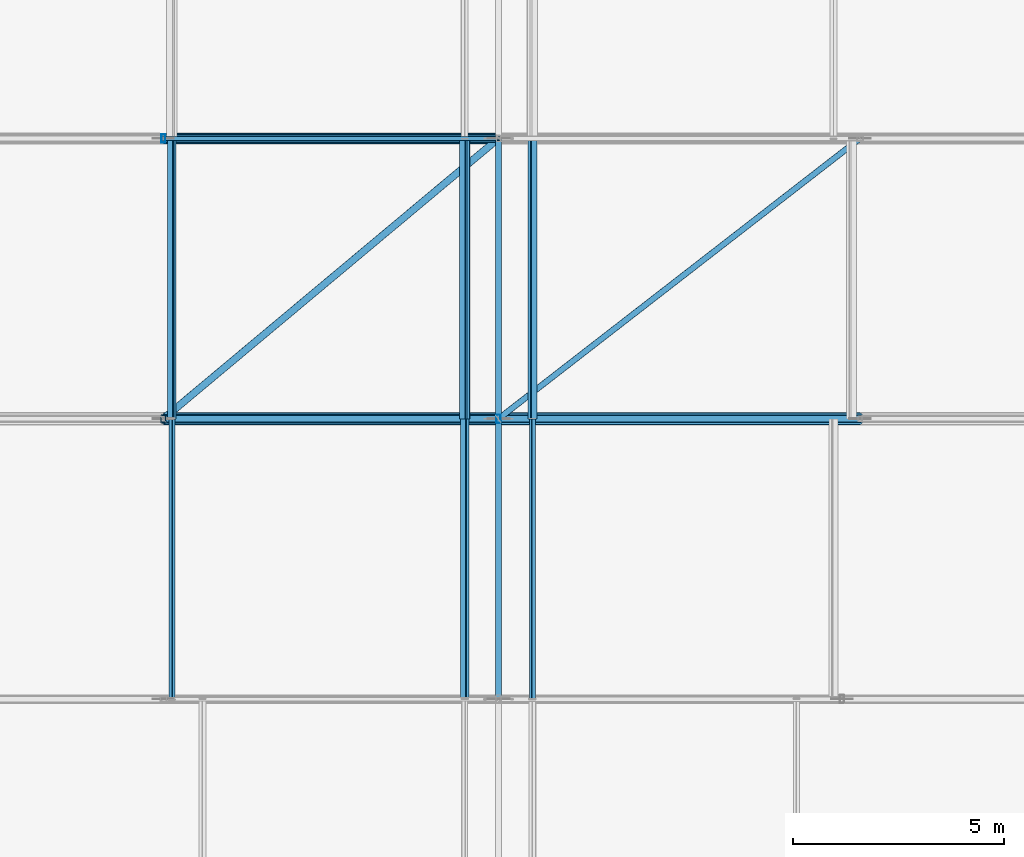
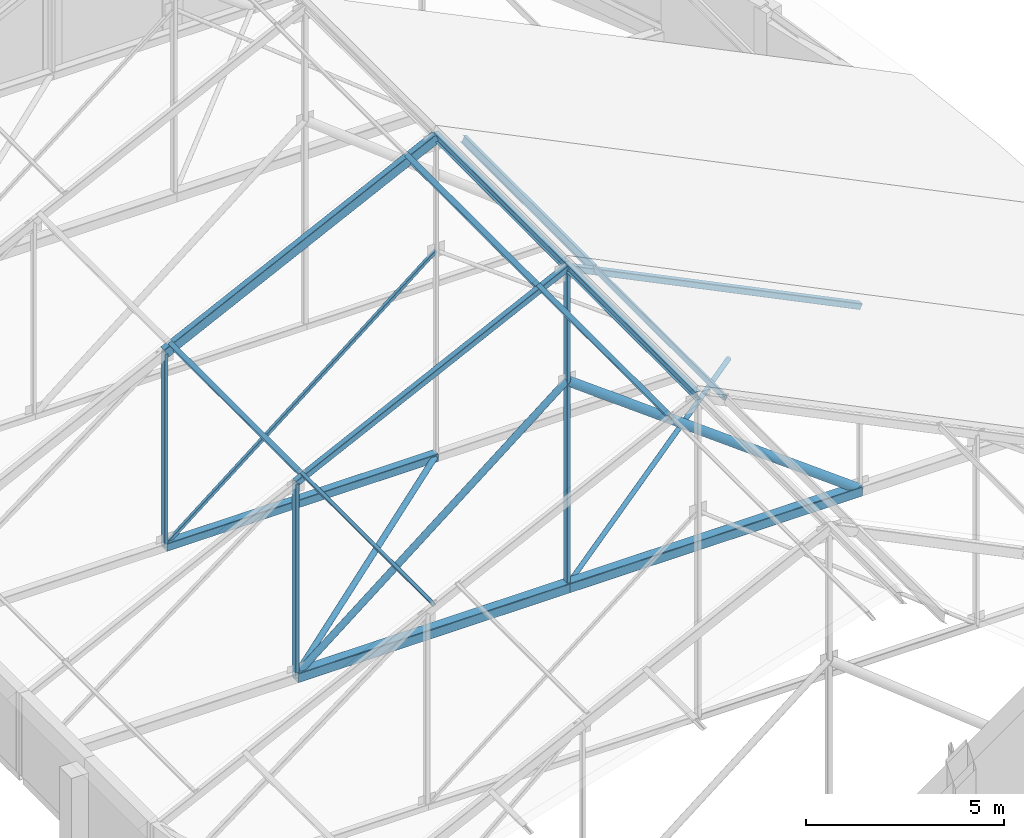
# One storey, part 30 of 78: 22 members.
"""IFC4 building model written with IfcOpenShell, lengths in metres."""

import ifcopenshell
import ifcopenshell.guid

model = None  # the IFC model being written
_history = None  # IfcOwnerHistory: only IFC2X3 demands one
_inside = {}  # id of a spatial element -> (the spatial element, [elements in it])
_under = {}  # id of a project, library or spatial element -> (it, [spatial elements below it])
_declared = {}  # id of a project -> (the project, [libraries it declares])
_typed = {}  # id of a type object -> (the type object, [elements of that type])
_made_of = {}  # id of a material, layer set ... -> (it, [elements and type objects made of it])


def new_model(schema):
    """Start an empty IFC model of exactly this schema.

    Asked for "IFC4X3", IfcOpenShell would pick the latest addendum, in which some entities
    have other attributes; the version numbers below select the first issue.
    IFC2X3 requires an IfcOwnerHistory on every rooted entity: one is made here for all.
    """
    global model, _history
    if schema == "IFC4X3":
        model = ifcopenshell.file(schema_version=(4, 3, 0, 0))
    else:
        model = ifcopenshell.file(schema=schema)
    _inside.clear()
    _under.clear()
    _declared.clear()
    _typed.clear()
    _made_of.clear()
    _history = None
    if model.schema == "IFC2X3":
        org = make("IfcOrganization", Name="unknown")
        user = make(
            "IfcPersonAndOrganization",
            ThePerson=make("IfcPerson", FamilyName="unknown"),
            TheOrganization=org,
        )
        app = make(
            "IfcApplication",
            ApplicationDeveloper=org,
            Version="unknown",
            ApplicationFullName="unknown",
            ApplicationIdentifier="unknown",
        )
        _history = make(
            "IfcOwnerHistory",
            OwningUser=user,
            OwningApplication=app,
            ChangeAction="ADDED",
            CreationDate=0,
        )
    return model


def make(cls, **values):
    """One entity of the class cls with the attributes given. An attribute that is None is left unset."""
    return model.create_entity(
        cls, **{name: value for name, value in values.items() if value is not None}
    )


def rooted(cls, **values):
    """An entity with a GlobalId (a new one), such as an element, a storey or a relation."""
    return make(cls, GlobalId=ifcopenshell.guid.new(), OwnerHistory=_history, **values)


def si_unit(unit_type, name, prefix=None):
    """IfcSIUnit, for example si_unit("LENGTHUNIT", "METRE", prefix="MILLI")."""
    return make("IfcSIUnit", UnitType=unit_type, Prefix=prefix, Name=name)


def assignment(units):
    """IfcUnitAssignment: the units of a project."""
    return None if units is None else make("IfcUnitAssignment", Units=units)


def point(xyz):
    """IfcCartesianPoint."""
    return None if xyz is None else make("IfcCartesianPoint", Coordinates=xyz)


def direction(xyz):
    """IfcDirection."""
    return None if xyz is None else make("IfcDirection", DirectionRatios=xyz)


def frame(location, z_axis=None, x_axis=None):
    """IfcAxis2Placement3D, a coordinate frame: its origin and axes. An axis left out is left unset."""
    return make(
        "IfcAxis2Placement3D",
        Location=point(location),
        Axis=direction(z_axis),
        RefDirection=direction(x_axis),
    )


def frame_2d(location, x_axis=None):
    """IfcAxis2Placement2D, a coordinate frame in the plane: its origin and x axis."""
    return make(
        "IfcAxis2Placement2D", Location=point(location), RefDirection=direction(x_axis)
    )


def origin():
    """The frame at (0, 0, 0) with its axes left unset."""
    return frame((0.0, 0.0, 0.0))


def origin_2d():
    """The frame at (0, 0) in the plane with its x axis left unset."""
    return frame_2d((0.0, 0.0))


def place(relative_to, where):
    """IfcLocalPlacement: puts the frame where relative to a parent placement (None: the world)."""
    return make(
        "IfcLocalPlacement", PlacementRelTo=relative_to, RelativePlacement=where
    )


def context(
    kind, dimensions, precision=None, world=None, true_north=None, identifier=None
):
    """IfcGeometricRepresentationContext, for example the 3D "Model" context."""
    return make(
        "IfcGeometricRepresentationContext",
        ContextIdentifier=identifier,
        ContextType=kind,
        CoordinateSpaceDimension=dimensions,
        Precision=precision,
        WorldCoordinateSystem=world,
        TrueNorth=true_north,
    )


def subcontext(parent, identifier, kind, view, scale=None):
    """IfcGeometricRepresentationSubContext, for example "Body" below "Model"."""
    return make(
        "IfcGeometricRepresentationSubContext",
        ContextIdentifier=identifier,
        ContextType=kind,
        ParentContext=parent,
        TargetScale=scale,
        TargetView=view,
    )


def project(units=None, contexts=None):
    """IfcProject with its units and contexts."""
    return rooted(
        "IfcProject",
        Name="project",
        RepresentationContexts=contexts,
        UnitsInContext=assignment(units),
    )


def spatial(cls, under=None, at=None, **own):
    """A site, building, storey or space (cls), placed at a placement, below another one or the project."""
    s = rooted(cls, ObjectPlacement=at, **own)
    if under is not None:
        _under.setdefault(under.id(), (under, []))[1].append(s)
    return s


def profile(cls, at=None, kind="AREA", **sizes):
    """A parametric profile (cls). Its sizes go by their IFC names, for example OverallWidth=200.0."""
    return make(cls, ProfileType=kind, Position=at, **sizes)


def hollow_rectangle(**sizes):
    """IfcRectangleHollowProfileDef."""
    return profile("IfcRectangleHollowProfileDef", **sizes)


def hollow_circle(**sizes):
    """IfcCircleHollowProfileDef."""
    return profile("IfcCircleHollowProfileDef", **sizes)


def i_section(**sizes):
    """IfcIShapeProfileDef."""
    return profile("IfcIShapeProfileDef", **sizes)


def extrude(swept, where, along, depth):
    """IfcExtrudedAreaSolid: the profile swept, set in the frame where, extruded along a direction by depth."""
    return make(
        "IfcExtrudedAreaSolid",
        SweptArea=swept,
        Position=where,
        ExtrudedDirection=direction(along),
        Depth=depth,
    )


def shape(context_of_items, identifier, shape_type, items):
    """IfcShapeRepresentation: the items that make up one representation, for example the "Body"."""
    return make(
        "IfcShapeRepresentation",
        ContextOfItems=context_of_items,
        RepresentationIdentifier=identifier,
        RepresentationType=shape_type,
        Items=items,
    )


def material(Name=None, Category=None):
    """IfcMaterial."""
    return make("IfcMaterial", Name=Name, Category=Category)


def material_profile(
    of_material, cross_section, Name=None, Category=None, Priority=None
):
    """IfcMaterialProfile: a cross section and its material."""
    return make(
        "IfcMaterialProfile",
        Name=Name,
        Material=of_material,
        Profile=cross_section,
        Priority=Priority,
        Category=Category,
    )


def profile_set(profiles, Name=None, composite=None):
    """IfcMaterialProfileSet."""
    return make(
        "IfcMaterialProfileSet",
        Name=Name,
        MaterialProfiles=profiles,
        CompositeProfile=composite,
    )


def made_of(thing, what):
    """Note that an element or type object is made of a material, layer set ...; save() writes the relation."""
    if what is not None:
        _made_of.setdefault(what.id(), (what, []))[1].append(thing)
    return thing


def type_object(cls, material=None, **own):
    """A type object (cls), such as IfcWallType, which elements share."""
    return made_of(rooted(cls, **own), material)


def element(
    cls,
    number,
    at=None,
    inside=None,
    cuts=None,
    type_object=None,
    material=None,
    context=None,
    identifier="Body",
    shape_type=None,
    held_by="IfcProductDefinitionShape",
    body=None,
    shapes=None,
    **own,
):
    """One element of the class cls, such as IfcWall. Its Tag is "e" and its number.

    at: its placement. inside: the storey or other place that contains it. cuts: it is an
    opening in that element (IfcRelVoidsElement). A single representation is given by context,
    identifier, shape_type and body (its items); several are given by shapes. held_by: the class
    of the entity that holds the representations. save() writes the other relations.
    """
    e = rooted(cls, Tag="e%d" % number, ObjectPlacement=at, **own)
    if body is not None:
        shapes = [shape(context, identifier, shape_type, body)]
    if shapes is not None:
        e.Representation = make(held_by, Representations=shapes)
    if inside is not None:
        _inside.setdefault(inside.id(), (inside, []))[1].append(e)
    if cuts is not None:
        rooted(
            "IfcRelVoidsElement", RelatingBuildingElement=cuts, RelatedOpeningElement=e
        )
    if type_object is not None:
        _typed.setdefault(type_object.id(), (type_object, []))[1].append(e)
    return made_of(e, material)


def aggregate(whole, parts):
    """IfcRelAggregates: a whole, such as a stair, and the parts it consists of."""
    return rooted("IfcRelAggregates", RelatingObject=whole, RelatedObjects=parts)


def save(model, path):
    """Write the relations noted so far, then the file.

    IfcRelAggregates (storeys below a building ...), IfcRelContainedInSpatialStructure (elements
    in a storey), IfcRelDefinesByType, IfcRelAssociatesMaterial and IfcRelDeclares: one each for
    every whole, place, type object, material and project.
    """
    for whole, parts in _under.values():
        aggregate(whole, parts)
    for where, things in _inside.values():
        rooted(
            "IfcRelContainedInSpatialStructure",
            RelatedElements=things,
            RelatingStructure=where,
        )
    for kind, things in _typed.values():
        rooted("IfcRelDefinesByType", RelatedObjects=things, RelatingType=kind)
    for what, things in _made_of.values():
        rooted("IfcRelAssociatesMaterial", RelatedObjects=things, RelatingMaterial=what)
    for by, libraries in _declared.values():
        rooted("IfcRelDeclares", RelatingContext=by, RelatedDefinitions=libraries)
    model.write(path)


model = new_model("IFC4")

# Units and contexts
model_context = context("Model", 3, precision=1e-05, world=origin(), true_north=direction((0.0, 1.0)))
body_context = subcontext(model_context, "Body", "Model", "MODEL_VIEW")
ifc_project = project(units=[si_unit("LENGTHUNIT", "METRE"), si_unit("AREAUNIT", "SQUARE_METRE"), si_unit("VOLUMEUNIT", "CUBIC_METRE"), si_unit("PLANEANGLEUNIT", "RADIAN"), si_unit("MASSUNIT", "GRAM", prefix="KILO")], contexts=[model_context])

# Site, building, storey
site_placement = place(None, origin())
site = spatial("IfcSite", under=ifc_project, at=site_placement, CompositionType="ELEMENT")
building_placement = place(site_placement, origin())
building = spatial("IfcBuilding", under=site, at=building_placement, Name="Kelanivale Promenade Academy", CompositionType="ELEMENT")
storey_placement = place(building_placement, frame((0.0, 0.0, 16.199951171875)))
storey = spatial("IfcBuildingStorey", under=building, at=storey_placement, Name="L04", CompositionType="ELEMENT", Elevation=16.199951171875)

# Members
ifc_material = material(Name="Steel S355", Category="steel")
ifc_material_profile_1 = material_profile(ifc_material, i_section(OverallWidth=0.13330078125, OverallDepth=0.203125, WebThickness=0.005615234375, FlangeThickness=0.0078125, FilletRadius=0.007568359375, at=origin_2d()), Name="UB 203x133x25")
ifc_profile_set_1 = profile_set([ifc_material_profile_1], Name="Steel S355")
member_type_1 = type_object("IfcMemberType", Name="PR-01 UB 203x133x25", PredefinedType="PURLIN", material=ifc_profile_set_1)
member_1_placement = place(storey_placement, frame((138.39990234375, 46.257080078125, 9.713134765625), z_axis=(0.0, 1.0, 0.0), x_axis=(-0.898564392509, 0.0, -0.438841694139)))
element("IfcMember", 1, at=member_1_placement, inside=storey, type_object=member_type_1, Name="Assembly Hall Arc Pavilion roof purlin PR-01", PredefinedType="PURLIN", context=body_context, shape_type="SweptSolid", body=[
    extrude(i_section(OverallWidth=0.13330078125, OverallDepth=0.203125, WebThickness=0.005615234375, FlangeThickness=0.0078125, FilletRadius=0.007568359375, at=origin_2d()), origin(), (0.0, 0.0, 1.0), 6.62890625),
])
for number, where, z_axis, x_axis, name in (
    (2, (131.47509765625, 52.885986328125, 6.3310546875), (0.0, 1.0, 0.0), (-0.898564392509, 0.0, -0.438841694139), "Assembly Hall Arc Pavilion roof purlin PR-01"),
    (3, (140.0, 52.885986328125, 9.713134765625), (0.0, 1.0, 0.0), (-0.898564392509, 0.0, 0.438841694139), "Assembly Hall Arc Pavilion roof purlin PR-01"),
):
    element("IfcMember", number, at=place(storey_placement, frame(where, z_axis=z_axis, x_axis=x_axis)), inside=storey, type_object=member_type_1, Name=name, PredefinedType="PURLIN", context=body_context, shape_type="SweptSolid", body=[
        extrude(i_section(OverallWidth=0.13330078125, OverallDepth=0.203125, WebThickness=0.005615234375, FlangeThickness=0.0078125, FilletRadius=0.007568359375, at=origin_2d()), origin(), (0.0, 0.0, 1.0), 6.6279296875),
    ])
ifc_material_profile_2 = material_profile(ifc_material, i_section(OverallWidth=0.14599609375, OverallDepth=0.25146484375, WebThickness=0.006103515625, FlangeThickness=0.008544921875, FilletRadius=0.007568359375, at=origin_2d()), Name="UB 254x146x31")
ifc_profile_set_2 = profile_set([ifc_material_profile_2], Name="Steel S355")
member_type_2 = type_object("IfcMemberType", Name="PR-02 UB 254x146x31", PredefinedType="PURLIN", material=ifc_profile_set_2)
member_2_placement = place(storey_placement, frame((139.199951171875, 46.257080078125, 10.087158203125), z_axis=(0.0, 1.0, 0.0), x_axis=(-1.0, 0.0, 0.0)))
element("IfcMember", 4, at=member_2_placement, inside=storey, type_object=member_type_2, Name="Assembly Hall Arc Pavilion roof tie purlin PR-02", PredefinedType="PURLIN", context=body_context, shape_type="SweptSolid", body=[
    extrude(i_section(OverallWidth=0.14599609375, OverallDepth=0.25146484375, WebThickness=0.006103515625, FlangeThickness=0.008544921875, FilletRadius=0.007568359375, at=origin_2d()), origin(), (0.0, 0.0, 1.0), 6.62890625),
])
for number, where, z_axis, x_axis, name in (
    (5, (139.199951171875, 52.885986328125, 10.087158203125), (0.0, 1.0, 0.0), (-1.0, 0.0, 0.0), "Assembly Hall Arc Pavilion roof tie purlin PR-02"),
    (6, (138.39990234375, 52.885986328125, 9.68603515625), (0.0, 1.0, 0.0), (-0.898564392509, 0.0, -0.438841694139), "Assembly Hall Arc Pavilion roof purlin PR-02"),
):
    element("IfcMember", number, at=place(storey_placement, frame(where, z_axis=z_axis, x_axis=x_axis)), inside=storey, type_object=member_type_2, Name=name, PredefinedType="PURLIN", context=body_context, shape_type="SweptSolid", body=[
        extrude(i_section(OverallWidth=0.14599609375, OverallDepth=0.25146484375, WebThickness=0.006103515625, FlangeThickness=0.008544921875, FilletRadius=0.007568359375, at=origin_2d()), origin(), (0.0, 0.0, 1.0), 6.6279296875),
    ])
ifc_material_profile_3 = material_profile(ifc_material, hollow_rectangle(XDim=0.10009765625, YDim=0.14990234375, WallThickness=0.008056640625, InnerFilletRadius=0.008056640625, OuterFilletRadius=0.01611328125, at=origin_2d()), Name="RHS 150x100x8.0")
ifc_profile_set_3 = profile_set([ifc_material_profile_3], Name="Steel S355")
member_type_3 = type_object("IfcMemberType", Name="PR-04 RHS 150x100x8.0", PredefinedType="PURLIN", material=ifc_profile_set_3)
for number, where, z_axis, x_axis, name in (
    (7, (131.47509765625, 46.257080078125, 6.361083984375), (0.0, 1.0, 0.0), (-0.898564392509, 0.0, -0.438841694139), "Assembly Hall Arc Pavilion roof purlin PR-04"),
    (8, (140.0, 46.257080078125, 9.7431640625), (0.0, 1.0, 0.0), (-0.898564392509, 0.0, 0.438841694139), "Assembly Hall Arc Pavilion roof purlin PR-04"),
):
    element("IfcMember", number, at=place(storey_placement, frame(where, z_axis=z_axis, x_axis=x_axis)), inside=storey, type_object=member_type_3, Name=name, PredefinedType="PURLIN", context=body_context, shape_type="SweptSolid", body=[
        extrude(hollow_rectangle(XDim=0.10009765625, YDim=0.14990234375, WallThickness=0.008056640625, InnerFilletRadius=0.008056640625, OuterFilletRadius=0.01611328125, at=origin_2d()), origin(), (0.0, 0.0, 1.0), 6.62890625),
    ])
ifc_material_profile_4 = material_profile(ifc_material, hollow_rectangle(XDim=0.300048828125, YDim=0.300048828125, WallThickness=0.01611328125, InnerFilletRadius=0.01611328125, OuterFilletRadius=0.031982421875, at=origin_2d()), Name="SHS 300x300x16.0")
ifc_profile_set_4 = profile_set([ifc_material_profile_4], Name="Steel S355")
member_type_4 = type_object("IfcMemberType", Name="TC-01 SHS 300x300x16.0", PredefinedType="CHORD", material=ifc_profile_set_4)
member_3_placement = place(storey_placement, frame((131.27490234375, 52.885986328125, 0.199951171875), z_axis=(1.0, 0.0, 0.0), x_axis=(0.0, 1.0, 0.0)))
element("IfcMember", 9, at=member_3_placement, inside=storey, type_object=member_type_4, Name="ROOF TRUSS AH-TR4 bottom chord 2", PredefinedType="CHORD", context=body_context, shape_type="SweptSolid", body=[
    extrude(hollow_rectangle(XDim=0.300048828125, YDim=0.300048828125, WallThickness=0.01611328125, InnerFilletRadius=0.01611328125, OuterFilletRadius=0.031982421875, at=origin_2d()), origin(), (0.0, 0.0, 1.0), 7.925048828125),
])
member_4_placement = place(storey_placement, frame((139.199951171875, 52.885986328125, 0.199951171875), z_axis=(1.0, 0.0, 0.0), x_axis=(0.0, 1.0, 0.0)))
element("IfcMember", 10, at=member_4_placement, inside=storey, type_object=member_type_4, Name="ROOF TRUSS AH-TR4 bottom chord 3", PredefinedType="CHORD", context=body_context, shape_type="SweptSolid", body=[
    extrude(hollow_rectangle(XDim=0.300048828125, YDim=0.300048828125, WallThickness=0.01611328125, InnerFilletRadius=0.01611328125, OuterFilletRadius=0.031982421875, at=origin_2d()), origin(), (0.0, 0.0, 1.0), 8.547119140625),
])
ifc_material_profile_5 = material_profile(ifc_material, hollow_rectangle(XDim=0.25, YDim=0.25, WallThickness=0.012451171875, InnerFilletRadius=0.012451171875, OuterFilletRadius=0.02490234375, at=origin_2d()), Name="SHS 250x250x12.5")
ifc_profile_set_5 = profile_set([ifc_material_profile_5], Name="Steel S355")
member_type_5 = type_object("IfcMemberType", Name="TC-02 SHS 250x250x12.5", PredefinedType="CHORD", material=ifc_profile_set_5)
member_5_placement = place(storey_placement, frame((131.27490234375, 59.513916015625, 0.199951171875), z_axis=(1.0, 0.0, 0.0), x_axis=(0.0, 1.0, 0.0)))
element("IfcMember", 11, at=member_5_placement, inside=storey, type_object=member_type_5, Name="ROOF TRUSS AH-TR5 bottom chord 2", PredefinedType="CHORD", context=body_context, shape_type="SweptSolid", body=[
    extrude(hollow_rectangle(XDim=0.25, YDim=0.25, WallThickness=0.012451171875, InnerFilletRadius=0.012451171875, OuterFilletRadius=0.02490234375, at=origin_2d()), origin(), (0.0, 0.0, 1.0), 7.925048828125),
])
ifc_material_profile_6 = material_profile(ifc_material, hollow_rectangle(XDim=0.179931640625, YDim=0.179931640625, WallThickness=0.010009765625, InnerFilletRadius=0.010009765625, OuterFilletRadius=0.02001953125, at=origin_2d()), Name="SHS 180x180x10.0")
ifc_profile_set_6 = profile_set([ifc_material_profile_6], Name="Steel S355")
member_type_6 = type_object("IfcMemberType", Name="TC-04 SHS 180x180x10.0", PredefinedType="CHORD", material=ifc_profile_set_6)
member_6_placement = place(storey_placement, frame((131.27490234375, 52.885986328125, 6.172119140625), z_axis=(0.898589853944, 0.0, 0.438789555925), x_axis=(0.0, 1.0, 0.0)))
element("IfcMember", 12, at=member_6_placement, inside=storey, type_object=member_type_6, Name="ROOF TRUSS AH-TR4 top chord 2", PredefinedType="CHORD", context=body_context, shape_type="SweptSolid", body=[
    extrude(hollow_rectangle(XDim=0.179931640625, YDim=0.179931640625, WallThickness=0.010009765625, InnerFilletRadius=0.010009765625, OuterFilletRadius=0.02001953125, at=origin_2d()), origin(), (0.0, 0.0, 1.0), 8.8193359375),
])
member_7_placement = place(storey_placement, frame((139.199951171875, 52.885986328125, 10.0419921875), z_axis=(0.898581873428, 0.0, -0.438805898715), x_axis=(0.0, 1.0, 0.0)))
element("IfcMember", 13, at=member_7_placement, inside=storey, type_object=member_type_6, Name="ROOF TRUSS AH-TR4 top chord 3", PredefinedType="CHORD", context=body_context, shape_type="SweptSolid", body=[
    extrude(hollow_rectangle(XDim=0.179931640625, YDim=0.179931640625, WallThickness=0.010009765625, InnerFilletRadius=0.010009765625, OuterFilletRadius=0.02001953125, at=origin_2d()), origin(), (0.0, 0.0, 1.0), 9.51171875),
])
ifc_material_profile_7 = material_profile(ifc_material, hollow_rectangle(XDim=0.199951171875, YDim=0.300048828125, WallThickness=0.012451171875, InnerFilletRadius=0.012451171875, OuterFilletRadius=0.02490234375, at=origin_2d()), Name="RHS 300x200x12.5")
ifc_profile_set_7 = profile_set([ifc_material_profile_7], Name="Steel S355")
member_type_7 = type_object("IfcMemberType", Name="TC-05 RHS 300x200x12.5", PredefinedType="CHORD", material=ifc_profile_set_7)
member_8_placement = place(storey_placement, frame((131.27490234375, 59.513916015625, 6.172119140625), z_axis=(0.898589853944, 0.0, 0.438789555925), x_axis=(0.0, 1.0, 0.0)))
element("IfcMember", 14, at=member_8_placement, inside=storey, type_object=member_type_7, Name="ROOF TRUSS AH-TR5 top chord 2", PredefinedType="CHORD", context=body_context, shape_type="SweptSolid", body=[
    extrude(hollow_rectangle(XDim=0.199951171875, YDim=0.300048828125, WallThickness=0.012451171875, InnerFilletRadius=0.012451171875, OuterFilletRadius=0.02490234375, at=origin_2d()), origin(), (0.0, 0.0, 1.0), 8.8193359375),
])
ifc_material_profile_8 = material_profile(ifc_material, hollow_rectangle(XDim=0.10009765625, YDim=0.10009765625, WallThickness=0.00634765625, InnerFilletRadius=0.00634765625, OuterFilletRadius=0.0126953125, at=origin_2d()), Name="SHS 100x100x6.3")
ifc_profile_set_8 = profile_set([ifc_material_profile_8], Name="Steel S355")
member_type_8 = type_object("IfcMemberType", Name="TD-03 SHS 100x100x6.3", PredefinedType="BRACE", material=ifc_profile_set_8)
member_9_placement = place(storey_placement, frame((131.27490234375, 59.513916015625, 0.199951171875), z_axis=(0.780866462557, 0.0, 0.624697981151), x_axis=(0.0, 1.0, 0.0)))
element("IfcMember", 15, at=member_9_placement, inside=storey, type_object=member_type_8, Name="ROOF TRUSS AH-TR5 web diagonal 2", PredefinedType="BRACE", context=body_context, shape_type="SweptSolid", body=[
    extrude(hollow_rectangle(XDim=0.10009765625, YDim=0.10009765625, WallThickness=0.00634765625, InnerFilletRadius=0.00634765625, OuterFilletRadius=0.0126953125, at=origin_2d()), origin(), (0.0, 0.0, 1.0), 10.14892578125),
])
ifc_material_profile_9 = material_profile(ifc_material, hollow_circle(Radius=0.084228515625, WallThickness=0.008056640625, at=origin_2d()), Name="CHS 168.3x8.0")
ifc_profile_set_9 = profile_set([ifc_material_profile_9], Name="Steel S355")
member_type_9 = type_object("IfcMemberType", Name="TD-04 CHS 168.3x8.0", PredefinedType="BRACE", material=ifc_profile_set_9)
member_10_placement = place(storey_placement, frame((131.27490234375, 52.885986328125, 0.199951171875), z_axis=(0.767090825267, 0.641538514659, 0.0), x_axis=(-0.641538514659, 0.767090825267, 0.0)))
element("IfcMember", 16, at=member_10_placement, inside=storey, type_object=member_type_9, Name="Assembly Hall Arc Pavilion roof wind brace TD-04", PredefinedType="BRACE", context=body_context, shape_type="SweptSolid", body=[
    extrude(hollow_circle(Radius=0.084228515625, WallThickness=0.008056640625, at=origin_2d()), origin(), (0.0, 0.0, 1.0), 10.331298828125),
])
ifc_material_profile_10 = material_profile(ifc_material, hollow_circle(Radius=0.06982421875, WallThickness=0.008056640625, at=origin_2d()), Name="CHS 139.7x8.0")
ifc_profile_set_10 = profile_set([ifc_material_profile_10], Name="Steel S355")
member_type_10 = type_object("IfcMemberType", Name="TD-05 CHS 139.7x8.0", PredefinedType="BRACE", material=ifc_profile_set_10)
member_11_placement = place(storey_placement, frame((139.199951171875, 52.885986328125, 0.199951171875), z_axis=(0.790239878241, 0.612797629595, 0.0), x_axis=(-0.612797629595, 0.790239878241, 0.0)))
element("IfcMember", 17, at=member_11_placement, inside=storey, type_object=member_type_10, Name="Assembly Hall Arc Pavilion roof wind brace TD-05", PredefinedType="BRACE", context=body_context, shape_type="SweptSolid", body=[
    extrude(hollow_circle(Radius=0.06982421875, WallThickness=0.008056640625, at=origin_2d()), origin(), (0.0, 0.0, 1.0), 10.81591796875),
])
ifc_material_profile_11 = material_profile(ifc_material, hollow_circle(Radius=0.096923828125, WallThickness=0.010009765625, at=origin_2d()), Name="CHS 193.7x10.0")
ifc_profile_set_11 = profile_set([ifc_material_profile_11], Name="Steel S355")
member_type_11 = type_object("IfcMemberType", Name="TD-07 CHS 193.7x10.0", PredefinedType="BRACE", material=ifc_profile_set_11)
member_12_placement = place(storey_placement, frame((131.27490234375, 52.885986328125, 0.199951171875), z_axis=(0.780866462557, 0.0, 0.624697981151), x_axis=(0.0, 1.0, 0.0)))
element("IfcMember", 18, at=member_12_placement, inside=storey, type_object=member_type_11, Name="ROOF TRUSS AH-TR4 web diagonal 2", PredefinedType="BRACE", context=body_context, shape_type="SweptSolid", body=[
    extrude(hollow_circle(Radius=0.096923828125, WallThickness=0.010009765625, at=origin_2d()), origin(), (0.0, 0.0, 1.0), 10.14892578125),
])
ifc_material_profile_12 = material_profile(ifc_material, hollow_circle(Radius=0.136474609375, WallThickness=0.012451171875, at=origin_2d()), Name="CHS 273.0x12.5")
ifc_profile_set_12 = profile_set([ifc_material_profile_12], Name="Steel S355")
member_type_12 = type_object("IfcMemberType", Name="TD-08 CHS 273.0x12.5", PredefinedType="BRACE", material=ifc_profile_set_12)
member_13_placement = place(storey_placement, frame((147.7470703125, 52.885986328125, 0.199951171875), z_axis=(-0.803157518053, 0.0, 0.595766733877), x_axis=(0.0, -1.0, 0.0)))
element("IfcMember", 19, at=member_13_placement, inside=storey, type_object=member_type_12, Name="ROOF TRUSS AH-TR4 web diagonal 3", PredefinedType="BRACE", context=body_context, shape_type="SweptSolid", body=[
    extrude(hollow_circle(Radius=0.136474609375, WallThickness=0.012451171875, at=origin_2d()), origin(), (0.0, 0.0, 1.0), 10.641845703125),
])
ifc_material_profile_13 = material_profile(ifc_material, hollow_rectangle(XDim=0.1201171875, YDim=0.199951171875, WallThickness=0.010009765625, InnerFilletRadius=0.010009765625, OuterFilletRadius=0.02001953125, at=origin_2d()), Name="RHS 200x120x10.0")
ifc_profile_set_13 = profile_set([ifc_material_profile_13], Name="Steel S355")
member_type_13 = type_object("IfcMemberType", Name="TV-01 RHS 200x120x10.0", PredefinedType="STRUT", material=ifc_profile_set_13)
member_14_placement = place(storey_placement, frame((131.27490234375, 52.885986328125, 0.199951171875), z_axis=(0.0, 0.0, 1.0), x_axis=(1.0, 0.0, 0.0)))
element("IfcMember", 20, at=member_14_placement, inside=storey, type_object=member_type_13, Name="ROOF TRUSS AH-TR4 vertical strut 1", PredefinedType="STRUT", context=body_context, shape_type="SweptSolid", body=[
    extrude(hollow_rectangle(XDim=0.1201171875, YDim=0.199951171875, WallThickness=0.010009765625, InnerFilletRadius=0.010009765625, OuterFilletRadius=0.02001953125, at=origin_2d()), origin(), (0.0, 0.0, 1.0), 5.97216796875),
])
ifc_material_profile_14 = material_profile(ifc_material, hollow_rectangle(XDim=0.10009765625, YDim=0.199951171875, WallThickness=0.008056640625, InnerFilletRadius=0.008056640625, OuterFilletRadius=0.01611328125, at=origin_2d()), Name="RHS 200x100x8.0")
ifc_profile_set_14 = profile_set([ifc_material_profile_14], Name="Steel S355")
member_type_14 = type_object("IfcMemberType", Name="TV-02 RHS 200x100x8.0", PredefinedType="STRUT", material=ifc_profile_set_14)
member_15_placement = place(storey_placement, frame((139.199951171875, 52.885986328125, 0.199951171875), z_axis=(0.0, 0.0, 1.0), x_axis=(1.0, 0.0, 0.0)))
element("IfcMember", 21, at=member_15_placement, inside=storey, type_object=member_type_14, Name="ROOF TRUSS AH-TR4 vertical strut 2", PredefinedType="STRUT", context=body_context, shape_type="SweptSolid", body=[
    extrude(hollow_rectangle(XDim=0.10009765625, YDim=0.199951171875, WallThickness=0.008056640625, InnerFilletRadius=0.008056640625, OuterFilletRadius=0.01611328125, at=origin_2d()), origin(), (0.0, 0.0, 1.0), 9.842041015625),
])
member_16_placement = place(storey_placement, frame((131.27490234375, 59.513916015625, 0.199951171875), z_axis=(0.0, 0.0, 1.0), x_axis=(1.0, 0.0, 0.0)))
element("IfcMember", 22, at=member_16_placement, inside=storey, type_object=member_type_14, Name="ROOF TRUSS AH-TR5 vertical strut 1", PredefinedType="STRUT", context=body_context, shape_type="SweptSolid", body=[
    extrude(hollow_rectangle(XDim=0.10009765625, YDim=0.199951171875, WallThickness=0.008056640625, InnerFilletRadius=0.008056640625, OuterFilletRadius=0.01611328125, at=origin_2d()), origin(), (0.0, 0.0, 1.0), 5.97216796875),
])

save(model, "model.ifc")
